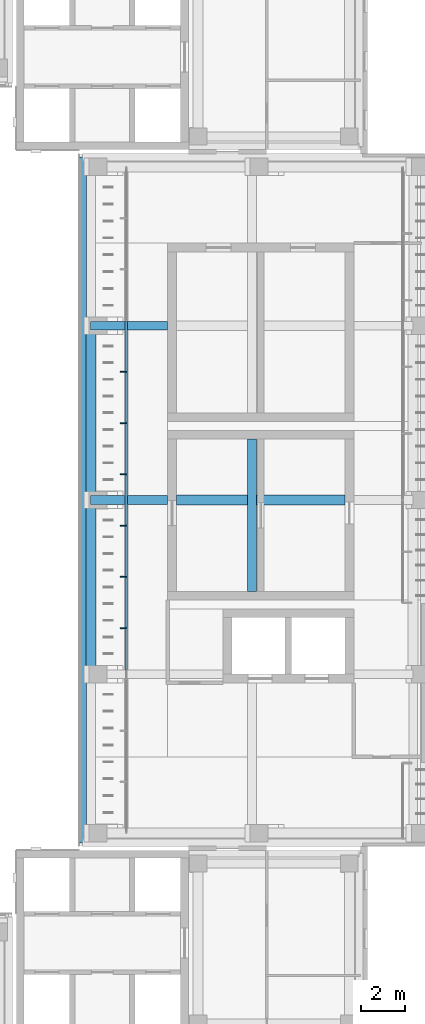
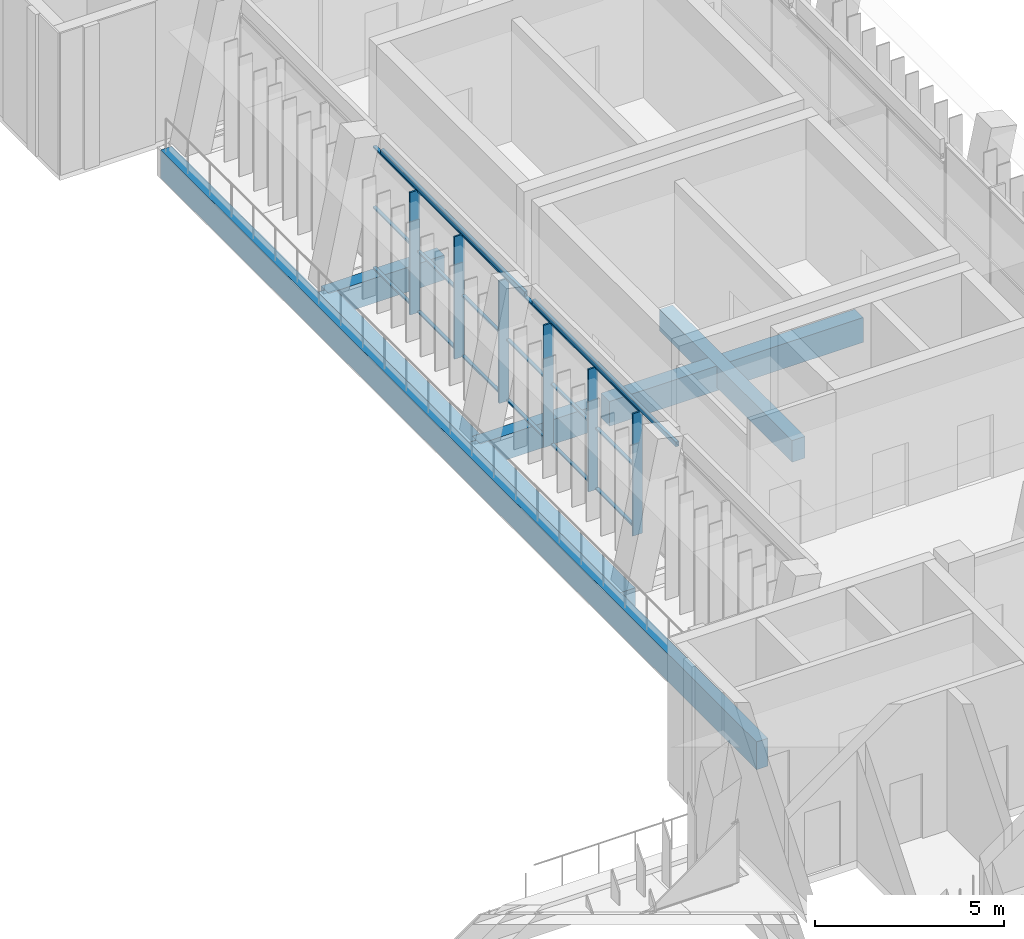
# One storey, part 39 of 89: 24 members, 9 beams, 1 element without a shape of its own.
"""IFC4 building model written with IfcOpenShell, lengths in metres."""

import ifcopenshell
import ifcopenshell.guid

model = None  # the IFC model being written
_history = None  # IfcOwnerHistory: only IFC2X3 demands one
_inside = {}  # id of a spatial element -> (the spatial element, [elements in it])
_under = {}  # id of a project, library or spatial element -> (it, [spatial elements below it])
_declared = {}  # id of a project -> (the project, [libraries it declares])
_typed = {}  # id of a type object -> (the type object, [elements of that type])
_made_of = {}  # id of a material, layer set ... -> (it, [elements and type objects made of it])


def new_model(schema):
    """Start an empty IFC model of exactly this schema.

    Asked for "IFC4X3", IfcOpenShell would pick the latest addendum, in which some entities
    have other attributes; the version numbers below select the first issue.
    IFC2X3 requires an IfcOwnerHistory on every rooted entity: one is made here for all.
    """
    global model, _history
    if schema == "IFC4X3":
        model = ifcopenshell.file(schema_version=(4, 3, 0, 0))
    else:
        model = ifcopenshell.file(schema=schema)
    _inside.clear()
    _under.clear()
    _declared.clear()
    _typed.clear()
    _made_of.clear()
    _history = None
    if model.schema == "IFC2X3":
        org = make("IfcOrganization", Name="unknown")
        user = make(
            "IfcPersonAndOrganization",
            ThePerson=make("IfcPerson", FamilyName="unknown"),
            TheOrganization=org,
        )
        app = make(
            "IfcApplication",
            ApplicationDeveloper=org,
            Version="unknown",
            ApplicationFullName="unknown",
            ApplicationIdentifier="unknown",
        )
        _history = make(
            "IfcOwnerHistory",
            OwningUser=user,
            OwningApplication=app,
            ChangeAction="ADDED",
            CreationDate=0,
        )
    return model


def make(cls, **values):
    """One entity of the class cls with the attributes given. An attribute that is None is left unset."""
    return model.create_entity(
        cls, **{name: value for name, value in values.items() if value is not None}
    )


def rooted(cls, **values):
    """An entity with a GlobalId (a new one), such as an element, a storey or a relation."""
    return make(cls, GlobalId=ifcopenshell.guid.new(), OwnerHistory=_history, **values)


def si_unit(unit_type, name, prefix=None):
    """IfcSIUnit, for example si_unit("LENGTHUNIT", "METRE", prefix="MILLI")."""
    return make("IfcSIUnit", UnitType=unit_type, Prefix=prefix, Name=name)


def assignment(units):
    """IfcUnitAssignment: the units of a project."""
    return None if units is None else make("IfcUnitAssignment", Units=units)


def point(xyz):
    """IfcCartesianPoint."""
    return None if xyz is None else make("IfcCartesianPoint", Coordinates=xyz)


def direction(xyz):
    """IfcDirection."""
    return None if xyz is None else make("IfcDirection", DirectionRatios=xyz)


def frame(location, z_axis=None, x_axis=None):
    """IfcAxis2Placement3D, a coordinate frame: its origin and axes. An axis left out is left unset."""
    return make(
        "IfcAxis2Placement3D",
        Location=point(location),
        Axis=direction(z_axis),
        RefDirection=direction(x_axis),
    )


def frame_2d(location, x_axis=None):
    """IfcAxis2Placement2D, a coordinate frame in the plane: its origin and x axis."""
    return make(
        "IfcAxis2Placement2D", Location=point(location), RefDirection=direction(x_axis)
    )


def origin():
    """The frame at (0, 0, 0) with its axes left unset."""
    return frame((0.0, 0.0, 0.0))


def origin_2d():
    """The frame at (0, 0) in the plane with its x axis left unset."""
    return frame_2d((0.0, 0.0))


def place(relative_to, where):
    """IfcLocalPlacement: puts the frame where relative to a parent placement (None: the world)."""
    return make(
        "IfcLocalPlacement", PlacementRelTo=relative_to, RelativePlacement=where
    )


def context(
    kind, dimensions, precision=None, world=None, true_north=None, identifier=None
):
    """IfcGeometricRepresentationContext, for example the 3D "Model" context."""
    return make(
        "IfcGeometricRepresentationContext",
        ContextIdentifier=identifier,
        ContextType=kind,
        CoordinateSpaceDimension=dimensions,
        Precision=precision,
        WorldCoordinateSystem=world,
        TrueNorth=true_north,
    )


def subcontext(parent, identifier, kind, view, scale=None):
    """IfcGeometricRepresentationSubContext, for example "Body" below "Model"."""
    return make(
        "IfcGeometricRepresentationSubContext",
        ContextIdentifier=identifier,
        ContextType=kind,
        ParentContext=parent,
        TargetScale=scale,
        TargetView=view,
    )


def project(units=None, contexts=None):
    """IfcProject with its units and contexts."""
    return rooted(
        "IfcProject",
        Name="project",
        RepresentationContexts=contexts,
        UnitsInContext=assignment(units),
    )


def spatial(cls, under=None, at=None, **own):
    """A site, building, storey or space (cls), placed at a placement, below another one or the project."""
    s = rooted(cls, ObjectPlacement=at, **own)
    if under is not None:
        _under.setdefault(under.id(), (under, []))[1].append(s)
    return s


def profile(cls, at=None, kind="AREA", **sizes):
    """A parametric profile (cls). Its sizes go by their IFC names, for example OverallWidth=200.0."""
    return make(cls, ProfileType=kind, Position=at, **sizes)


def rectangle(**sizes):
    """IfcRectangleProfileDef."""
    return profile("IfcRectangleProfileDef", **sizes)


def hollow_rectangle(**sizes):
    """IfcRectangleHollowProfileDef."""
    return profile("IfcRectangleHollowProfileDef", **sizes)


def extrude(swept, where, along, depth):
    """IfcExtrudedAreaSolid: the profile swept, set in the frame where, extruded along a direction by depth."""
    return make(
        "IfcExtrudedAreaSolid",
        SweptArea=swept,
        Position=where,
        ExtrudedDirection=direction(along),
        Depth=depth,
    )


def shape(context_of_items, identifier, shape_type, items):
    """IfcShapeRepresentation: the items that make up one representation, for example the "Body"."""
    return make(
        "IfcShapeRepresentation",
        ContextOfItems=context_of_items,
        RepresentationIdentifier=identifier,
        RepresentationType=shape_type,
        Items=items,
    )


def material(Name=None, Category=None):
    """IfcMaterial."""
    return make("IfcMaterial", Name=Name, Category=Category)


def material_profile(
    of_material, cross_section, Name=None, Category=None, Priority=None
):
    """IfcMaterialProfile: a cross section and its material."""
    return make(
        "IfcMaterialProfile",
        Name=Name,
        Material=of_material,
        Profile=cross_section,
        Priority=Priority,
        Category=Category,
    )


def profile_set(profiles, Name=None, composite=None):
    """IfcMaterialProfileSet."""
    return make(
        "IfcMaterialProfileSet",
        Name=Name,
        MaterialProfiles=profiles,
        CompositeProfile=composite,
    )


def made_of(thing, what):
    """Note that an element or type object is made of a material, layer set ...; save() writes the relation."""
    if what is not None:
        _made_of.setdefault(what.id(), (what, []))[1].append(thing)
    return thing


def type_object(cls, material=None, **own):
    """A type object (cls), such as IfcWallType, which elements share."""
    return made_of(rooted(cls, **own), material)


def element(
    cls,
    number,
    at=None,
    inside=None,
    cuts=None,
    type_object=None,
    material=None,
    context=None,
    identifier="Body",
    shape_type=None,
    held_by="IfcProductDefinitionShape",
    body=None,
    shapes=None,
    **own,
):
    """One element of the class cls, such as IfcWall. Its Tag is "e" and its number.

    at: its placement. inside: the storey or other place that contains it. cuts: it is an
    opening in that element (IfcRelVoidsElement). A single representation is given by context,
    identifier, shape_type and body (its items); several are given by shapes. held_by: the class
    of the entity that holds the representations. save() writes the other relations.
    """
    e = rooted(cls, Tag="e%d" % number, ObjectPlacement=at, **own)
    if body is not None:
        shapes = [shape(context, identifier, shape_type, body)]
    if shapes is not None:
        e.Representation = make(held_by, Representations=shapes)
    if inside is not None:
        _inside.setdefault(inside.id(), (inside, []))[1].append(e)
    if cuts is not None:
        rooted(
            "IfcRelVoidsElement", RelatingBuildingElement=cuts, RelatedOpeningElement=e
        )
    if type_object is not None:
        _typed.setdefault(type_object.id(), (type_object, []))[1].append(e)
    return made_of(e, material)


def aggregate(whole, parts):
    """IfcRelAggregates: a whole, such as a stair, and the parts it consists of."""
    return rooted("IfcRelAggregates", RelatingObject=whole, RelatedObjects=parts)


def save(model, path):
    """Write the relations noted so far, then the file.

    IfcRelAggregates (storeys below a building ...), IfcRelContainedInSpatialStructure (elements
    in a storey), IfcRelDefinesByType, IfcRelAssociatesMaterial and IfcRelDeclares: one each for
    every whole, place, type object, material and project.
    """
    for whole, parts in _under.values():
        aggregate(whole, parts)
    for where, things in _inside.values():
        rooted(
            "IfcRelContainedInSpatialStructure",
            RelatedElements=things,
            RelatingStructure=where,
        )
    for kind, things in _typed.values():
        rooted("IfcRelDefinesByType", RelatedObjects=things, RelatingType=kind)
    for what, things in _made_of.values():
        rooted("IfcRelAssociatesMaterial", RelatedObjects=things, RelatingMaterial=what)
    for by, libraries in _declared.values():
        rooted("IfcRelDeclares", RelatingContext=by, RelatedDefinitions=libraries)
    model.write(path)


model = new_model("IFC4")

# Units and contexts
model_context = context("Model", 3, precision=1e-05, world=origin(), true_north=direction((0.0, 1.0)))
body_context = subcontext(model_context, "Body", "Model", "MODEL_VIEW")
ifc_project = project(units=[si_unit("LENGTHUNIT", "METRE"), si_unit("AREAUNIT", "SQUARE_METRE"), si_unit("VOLUMEUNIT", "CUBIC_METRE"), si_unit("PLANEANGLEUNIT", "RADIAN"), si_unit("MASSUNIT", "GRAM", prefix="KILO")], contexts=[model_context])

# Site, building, storey
site_placement = place(None, origin())
site = spatial("IfcSite", under=ifc_project, at=site_placement, CompositionType="ELEMENT")
building_placement = place(site_placement, origin())
building = spatial("IfcBuilding", under=site, at=building_placement, Name="Lantern Court Media Centre", CompositionType="ELEMENT")
storey_placement = place(building_placement, frame((0.0, 0.0, 14.39990234375)))
storey = spatial("IfcBuildingStorey", under=building, at=storey_placement, Name="L03", CompositionType="ELEMENT", Elevation=14.39990234375)

# Curtain wall, members
ifc_material_1 = material(Name="Curtain wall bay 2400")
curtain_wall_type = type_object("IfcCurtainWallType", Name="Curtain wall bay 2400", PredefinedType="NOTDEFINED", material=ifc_material_1)
curtain_wall_placement = place(storey_placement, origin())
curtain_wall = element("IfcCurtainWall", 1, at=curtain_wall_placement, inside=storey, type_object=curtain_wall_type, Name="Curtain wall E inner L03", PredefinedType="NOTDEFINED")
ifc_material_2 = material(Name="Anodised aluminium", Category="aluminium")
ifc_material_profile_1 = material_profile(ifc_material_2, rectangle(XDim=0.300048828125, YDim=0.050048828125, at=origin_2d()), Name="AL 50x300")
ifc_profile_set_1 = profile_set([ifc_material_profile_1], Name="Anodised aluminium")
member_type_1 = type_object("IfcMemberType", Name="Curtain wall mullion 50x300", PredefinedType="MULLION", material=ifc_profile_set_1)
member_1_placement = place(storey_placement, frame((85.030029296875, 74.115478515625, 0.0), z_axis=(0.0, 0.0, 1.0), x_axis=(-1.0, 0.0, 0.0)))
member_1 = element("IfcMember", 2, at=member_1_placement, type_object=member_type_1, Name="CW2 mullion 5", PredefinedType="MULLION", context=body_context, shape_type="SweptSolid", body=[
    extrude(rectangle(XDim=0.300048828125, YDim=0.050048828125, at=origin_2d()), origin(), (0.0, 0.0, 1.0), 3.9501953125),
])
member_2_placement = place(storey_placement, frame((85.030029296875, 76.46923828125, 0.0), z_axis=(0.0, 0.0, 1.0), x_axis=(-1.0, 0.0, 0.0)))
member_2 = element("IfcMember", 3, at=member_2_placement, type_object=member_type_1, Name="CW2 mullion 6", PredefinedType="MULLION", context=body_context, shape_type="SweptSolid", body=[
    extrude(rectangle(XDim=0.300048828125, YDim=0.050048828125, at=origin_2d()), origin(), (0.0, 0.0, 1.0), 3.9501953125),
])
member_3_placement = place(storey_placement, frame((85.030029296875, 78.822998046875, 0.0), z_axis=(0.0, 0.0, 1.0), x_axis=(-1.0, 0.0, 0.0)))
member_3 = element("IfcMember", 4, at=member_3_placement, type_object=member_type_1, Name="CW2 mullion 7", PredefinedType="MULLION", context=body_context, shape_type="SweptSolid", body=[
    extrude(rectangle(XDim=0.300048828125, YDim=0.050048828125, at=origin_2d()), origin(), (0.0, 0.0, 1.0), 3.9501953125),
])
member_4_placement = place(storey_placement, frame((85.030029296875, 81.177001953125, 0.0), z_axis=(0.0, 0.0, 1.0), x_axis=(-1.0, 0.0, 0.0)))
member_4 = element("IfcMember", 5, at=member_4_placement, type_object=member_type_1, Name="CW2 mullion 8", PredefinedType="MULLION", context=body_context, shape_type="SweptSolid", body=[
    extrude(rectangle(XDim=0.300048828125, YDim=0.050048828125, at=origin_2d()), origin(), (0.0, 0.0, 1.0), 3.9501953125),
])
member_5_placement = place(storey_placement, frame((85.030029296875, 83.53076171875, 0.0), z_axis=(0.0, 0.0, 1.0), x_axis=(-1.0, 0.0, 0.0)))
member_5 = element("IfcMember", 6, at=member_5_placement, type_object=member_type_1, Name="CW2 mullion 9", PredefinedType="MULLION", context=body_context, shape_type="SweptSolid", body=[
    extrude(rectangle(XDim=0.300048828125, YDim=0.050048828125, at=origin_2d()), origin(), (0.0, 0.0, 1.0), 3.9501953125),
])
member_6_placement = place(storey_placement, frame((85.030029296875, 85.884521484375, 0.0), z_axis=(0.0, 0.0, 1.0), x_axis=(-1.0, 0.0, 0.0)))
member_6 = element("IfcMember", 7, at=member_6_placement, type_object=member_type_1, Name="CW2 mullion 10", PredefinedType="MULLION", context=body_context, shape_type="SweptSolid", body=[
    extrude(rectangle(XDim=0.300048828125, YDim=0.050048828125, at=origin_2d()), origin(), (0.0, 0.0, 1.0), 3.9501953125),
])
ifc_material_profile_2 = material_profile(ifc_material_2, rectangle(XDim=0.10009765625, YDim=0.050048828125, at=origin_2d()), Name="AL 50x100")
ifc_profile_set_2 = profile_set([ifc_material_profile_2], Name="Anodised aluminium")
member_type_2 = type_object("IfcMemberType", Name="Curtain wall transom 100x50", PredefinedType="USERDEFINED", material=ifc_profile_set_2)
member_7_placement = place(storey_placement, frame((85.14990234375, 74.140380859375, 0.025146484375), z_axis=(0.0, 1.0, 0.0), x_axis=(-1.0, 0.0, 0.0)))
member_7 = element("IfcMember", 8, at=member_7_placement, type_object=member_type_2, Name="CW2 transom 5.1", ObjectType="TRANSOM", PredefinedType="USERDEFINED", context=body_context, shape_type="SweptSolid", body=[
    extrude(rectangle(XDim=0.10009765625, YDim=0.050048828125, at=origin_2d()), origin(), (0.0, 0.0, 1.0), 2.303955078125),
])
member_8_placement = place(storey_placement, frame((85.14990234375, 74.140380859375, 1.97509765625), z_axis=(0.0, 1.0, 0.0), x_axis=(-1.0, 0.0, 0.0)))
member_8 = element("IfcMember", 9, at=member_8_placement, type_object=member_type_2, Name="CW2 transom 5.2", ObjectType="TRANSOM", PredefinedType="USERDEFINED", context=body_context, shape_type="SweptSolid", body=[
    extrude(rectangle(XDim=0.10009765625, YDim=0.050048828125, at=origin_2d()), origin(), (0.0, 0.0, 1.0), 2.303955078125),
])
member_9_placement = place(storey_placement, frame((85.14990234375, 74.140380859375, 3.925048828125), z_axis=(0.0, 1.0, 0.0), x_axis=(-1.0, 0.0, 0.0)))
member_9 = element("IfcMember", 10, at=member_9_placement, type_object=member_type_2, Name="CW2 transom 5.3", ObjectType="TRANSOM", PredefinedType="USERDEFINED", context=body_context, shape_type="SweptSolid", body=[
    extrude(rectangle(XDim=0.10009765625, YDim=0.050048828125, at=origin_2d()), origin(), (0.0, 0.0, 1.0), 2.303955078125),
])
member_10_placement = place(storey_placement, frame((85.14990234375, 76.494140625, 0.025146484375), z_axis=(0.0, 1.0, 0.0), x_axis=(-1.0, 0.0, 0.0)))
member_10 = element("IfcMember", 11, at=member_10_placement, type_object=member_type_2, Name="CW2 transom 6.1", ObjectType="TRANSOM", PredefinedType="USERDEFINED", context=body_context, shape_type="SweptSolid", body=[
    extrude(rectangle(XDim=0.10009765625, YDim=0.050048828125, at=origin_2d()), origin(), (0.0, 0.0, 1.0), 2.303955078125),
])
member_11_placement = place(storey_placement, frame((85.14990234375, 76.494140625, 1.97509765625), z_axis=(0.0, 1.0, 0.0), x_axis=(-1.0, 0.0, 0.0)))
member_11 = element("IfcMember", 12, at=member_11_placement, type_object=member_type_2, Name="CW2 transom 6.2", ObjectType="TRANSOM", PredefinedType="USERDEFINED", context=body_context, shape_type="SweptSolid", body=[
    extrude(rectangle(XDim=0.10009765625, YDim=0.050048828125, at=origin_2d()), origin(), (0.0, 0.0, 1.0), 2.303955078125),
])
member_12_placement = place(storey_placement, frame((85.14990234375, 76.494140625, 3.925048828125), z_axis=(0.0, 1.0, 0.0), x_axis=(-1.0, 0.0, 0.0)))
member_12 = element("IfcMember", 13, at=member_12_placement, type_object=member_type_2, Name="CW2 transom 6.3", ObjectType="TRANSOM", PredefinedType="USERDEFINED", context=body_context, shape_type="SweptSolid", body=[
    extrude(rectangle(XDim=0.10009765625, YDim=0.050048828125, at=origin_2d()), origin(), (0.0, 0.0, 1.0), 2.303955078125),
])
member_13_placement = place(storey_placement, frame((85.14990234375, 78.84814453125, 0.025146484375), z_axis=(0.0, 1.0, 0.0), x_axis=(-1.0, 0.0, 0.0)))
member_13 = element("IfcMember", 14, at=member_13_placement, type_object=member_type_2, Name="CW2 transom 7.1", ObjectType="TRANSOM", PredefinedType="USERDEFINED", context=body_context, shape_type="SweptSolid", body=[
    extrude(rectangle(XDim=0.10009765625, YDim=0.050048828125, at=origin_2d()), origin(), (0.0, 0.0, 1.0), 2.3037109375),
])
member_14_placement = place(storey_placement, frame((85.14990234375, 78.84814453125, 1.97509765625), z_axis=(0.0, 1.0, 0.0), x_axis=(-1.0, 0.0, 0.0)))
member_14 = element("IfcMember", 15, at=member_14_placement, type_object=member_type_2, Name="CW2 transom 7.2", ObjectType="TRANSOM", PredefinedType="USERDEFINED", context=body_context, shape_type="SweptSolid", body=[
    extrude(rectangle(XDim=0.10009765625, YDim=0.050048828125, at=origin_2d()), origin(), (0.0, 0.0, 1.0), 2.3037109375),
])
member_15_placement = place(storey_placement, frame((85.14990234375, 78.84814453125, 3.925048828125), z_axis=(0.0, 1.0, 0.0), x_axis=(-1.0, 0.0, 0.0)))
member_15 = element("IfcMember", 16, at=member_15_placement, type_object=member_type_2, Name="CW2 transom 7.3", ObjectType="TRANSOM", PredefinedType="USERDEFINED", context=body_context, shape_type="SweptSolid", body=[
    extrude(rectangle(XDim=0.10009765625, YDim=0.050048828125, at=origin_2d()), origin(), (0.0, 0.0, 1.0), 2.3037109375),
])
member_16_placement = place(storey_placement, frame((85.14990234375, 81.201904296875, 0.025146484375), z_axis=(0.0, 1.0, 0.0), x_axis=(-1.0, 0.0, 0.0)))
member_16 = element("IfcMember", 17, at=member_16_placement, type_object=member_type_2, Name="CW2 transom 8.1", ObjectType="TRANSOM", PredefinedType="USERDEFINED", context=body_context, shape_type="SweptSolid", body=[
    extrude(rectangle(XDim=0.10009765625, YDim=0.050048828125, at=origin_2d()), origin(), (0.0, 0.0, 1.0), 2.303955078125),
])
member_17_placement = place(storey_placement, frame((85.14990234375, 81.201904296875, 1.97509765625), z_axis=(0.0, 1.0, 0.0), x_axis=(-1.0, 0.0, 0.0)))
member_17 = element("IfcMember", 18, at=member_17_placement, type_object=member_type_2, Name="CW2 transom 8.2", ObjectType="TRANSOM", PredefinedType="USERDEFINED", context=body_context, shape_type="SweptSolid", body=[
    extrude(rectangle(XDim=0.10009765625, YDim=0.050048828125, at=origin_2d()), origin(), (0.0, 0.0, 1.0), 2.303955078125),
])
member_18_placement = place(storey_placement, frame((85.14990234375, 81.201904296875, 3.925048828125), z_axis=(0.0, 1.0, 0.0), x_axis=(-1.0, 0.0, 0.0)))
member_18 = element("IfcMember", 19, at=member_18_placement, type_object=member_type_2, Name="CW2 transom 8.3", ObjectType="TRANSOM", PredefinedType="USERDEFINED", context=body_context, shape_type="SweptSolid", body=[
    extrude(rectangle(XDim=0.10009765625, YDim=0.050048828125, at=origin_2d()), origin(), (0.0, 0.0, 1.0), 2.303955078125),
])
member_19_placement = place(storey_placement, frame((85.14990234375, 83.5556640625, 0.025146484375), z_axis=(0.0, 1.0, 0.0), x_axis=(-1.0, 0.0, 0.0)))
member_19 = element("IfcMember", 20, at=member_19_placement, type_object=member_type_2, Name="CW2 transom 9.1", ObjectType="TRANSOM", PredefinedType="USERDEFINED", context=body_context, shape_type="SweptSolid", body=[
    extrude(rectangle(XDim=0.10009765625, YDim=0.050048828125, at=origin_2d()), origin(), (0.0, 0.0, 1.0), 2.303955078125),
])
member_20_placement = place(storey_placement, frame((85.14990234375, 83.5556640625, 1.97509765625), z_axis=(0.0, 1.0, 0.0), x_axis=(-1.0, 0.0, 0.0)))
member_20 = element("IfcMember", 21, at=member_20_placement, type_object=member_type_2, Name="CW2 transom 9.2", ObjectType="TRANSOM", PredefinedType="USERDEFINED", context=body_context, shape_type="SweptSolid", body=[
    extrude(rectangle(XDim=0.10009765625, YDim=0.050048828125, at=origin_2d()), origin(), (0.0, 0.0, 1.0), 2.303955078125),
])
member_21_placement = place(storey_placement, frame((85.14990234375, 83.5556640625, 3.925048828125), z_axis=(0.0, 1.0, 0.0), x_axis=(-1.0, 0.0, 0.0)))
member_21 = element("IfcMember", 22, at=member_21_placement, type_object=member_type_2, Name="CW2 transom 9.3", ObjectType="TRANSOM", PredefinedType="USERDEFINED", context=body_context, shape_type="SweptSolid", body=[
    extrude(rectangle(XDim=0.10009765625, YDim=0.050048828125, at=origin_2d()), origin(), (0.0, 0.0, 1.0), 2.303955078125),
])
member_22_placement = place(storey_placement, frame((85.14990234375, 85.90966796875, 0.025146484375), z_axis=(0.0, 1.0, 0.0), x_axis=(-1.0, 0.0, 0.0)))
member_22 = element("IfcMember", 23, at=member_22_placement, type_object=member_type_2, Name="CW2 transom 10.1", ObjectType="TRANSOM", PredefinedType="USERDEFINED", context=body_context, shape_type="SweptSolid", body=[
    extrude(rectangle(XDim=0.10009765625, YDim=0.050048828125, at=origin_2d()), origin(), (0.0, 0.0, 1.0), 2.3037109375),
])
member_23_placement = place(storey_placement, frame((85.14990234375, 85.90966796875, 1.97509765625), z_axis=(0.0, 1.0, 0.0), x_axis=(-1.0, 0.0, 0.0)))
member_23 = element("IfcMember", 24, at=member_23_placement, type_object=member_type_2, Name="CW2 transom 10.2", ObjectType="TRANSOM", PredefinedType="USERDEFINED", context=body_context, shape_type="SweptSolid", body=[
    extrude(rectangle(XDim=0.10009765625, YDim=0.050048828125, at=origin_2d()), origin(), (0.0, 0.0, 1.0), 2.3037109375),
])
member_24_placement = place(storey_placement, frame((85.14990234375, 85.90966796875, 3.925048828125), z_axis=(0.0, 1.0, 0.0), x_axis=(-1.0, 0.0, 0.0)))
member_24 = element("IfcMember", 25, at=member_24_placement, type_object=member_type_2, Name="CW2 transom 10.3", ObjectType="TRANSOM", PredefinedType="USERDEFINED", context=body_context, shape_type="SweptSolid", body=[
    extrude(rectangle(XDim=0.10009765625, YDim=0.050048828125, at=origin_2d()), origin(), (0.0, 0.0, 1.0), 2.3037109375),
])
aggregate(curtain_wall, [member_1, member_2, member_3, member_4, member_5, member_6, member_7, member_8, member_9, member_10, member_11, member_12, member_13, member_14, member_15, member_16, member_17, member_18, member_19, member_20, member_21, member_22, member_23, member_24])

# Beams
ifc_material_3 = material(Name="Steel S355J2 (EN 10025-2)", Category="steel")
ifc_material_profile_3 = material_profile(ifc_material_3, hollow_rectangle(XDim=0.10009765625, YDim=0.14990234375, WallThickness=0.00634765625, InnerFilletRadius=0.00634765625, OuterFilletRadius=0.009521484375, at=origin_2d()), Name="Facade head lintel RHS 150x100x6.3")
ifc_profile_set_3 = profile_set([ifc_material_profile_3], Name="Steel S355J2 (EN 10025-2)")
beam_type_1 = type_object("IfcBeamType", Name="Facade head lintel RHS 150x100x6.3", PredefinedType="BEAM", material=ifc_profile_set_3)
for number, where, z_axis, x_axis, name in (
    (26, (85.14990234375, 72.199951171875, 4.025146484375), (0.0, 1.0, 0.0), (-1.0, 0.0, 0.0), "Facade head lintel E L03"),
    (27, (85.14990234375, 80.199951171875, 4.025146484375), (0.0, 1.0, 0.0), (-1.0, 0.0, 0.0), "Facade head lintel E L03"),
):
    element("IfcBeam", number, at=place(storey_placement, frame(where, z_axis=z_axis, x_axis=x_axis)), inside=storey, type_object=beam_type_1, Name=name, PredefinedType="BEAM", context=body_context, shape_type="SweptSolid", body=[
        extrude(hollow_rectangle(XDim=0.10009765625, YDim=0.14990234375, WallThickness=0.00634765625, InnerFilletRadius=0.00634765625, OuterFilletRadius=0.009521484375, at=origin_2d()), origin(), (0.0, 0.0, 1.0), 7.60009765625),
    ])
ifc_material_4 = material(Name="Concrete C35", Category="concrete")
ifc_material_profile_4 = material_profile(ifc_material_4, rectangle(XDim=0.35009765625, YDim=0.89990234375, at=origin_2d()), Name="RC 350x900")
ifc_profile_set_4 = profile_set([ifc_material_profile_4], Name="Concrete C35")
beam_type_2 = type_object("IfcBeamType", Name="RC BEAM 350x900", PredefinedType="BEAM", material=ifc_profile_set_4)
beam_1_placement = place(storey_placement, frame((83.14990234375, 64.25, -0.449951171875), z_axis=(0.0, 1.0, 0.0), x_axis=(-1.0, 0.0, 0.0)))
element("IfcBeam", 28, at=beam_1_placement, inside=storey, type_object=beam_type_2, Name="EB-E-L03-A", PredefinedType="BEAM", context=body_context, shape_type="SweptSolid", body=[
    extrude(rectangle(XDim=0.35009765625, YDim=0.89990234375, at=origin_2d()), origin(), (0.0, 0.0, 1.0), 31.5),
])
ifc_material_profile_5 = material_profile(ifc_material_4, rectangle(XDim=0.39990234375, YDim=0.699951171875, at=origin_2d()), Name="RC 400x700")
ifc_profile_set_5 = profile_set([ifc_material_profile_5], Name="Concrete C35")
beam_type_3 = type_object("IfcBeamType", Name="RC BEAM 400x700", PredefinedType="BEAM", material=ifc_profile_set_5)
beam_2_placement = place(storey_placement, frame((90.927001953125, 75.800048828125, -0.349853515625), z_axis=(0.0, 1.0, 0.0), x_axis=(-1.0, 0.0, 0.0)))
element("IfcBeam", 29, at=beam_2_placement, inside=storey, type_object=beam_type_3, Name="LB-E-L03-1-01", PredefinedType="BEAM", context=body_context, shape_type="SweptSolid", body=[
    extrude(rectangle(XDim=0.39990234375, YDim=0.699951171875, at=origin_2d()), origin(), (0.0, 0.0, 1.0), 7.0),
])
ifc_material_profile_6 = material_profile(ifc_material_4, rectangle(XDim=0.39990234375, YDim=0.800048828125, at=origin_2d()), Name="RC 400x800")
ifc_profile_set_6 = profile_set([ifc_material_profile_6], Name="Concrete C35")
beam_type_4 = type_object("IfcBeamType", Name="RC BEAM 400x800", PredefinedType="BEAM", material=ifc_profile_set_6)
for number, where, z_axis, x_axis, name in (
    (30, (83.5166015625, 80.0, -0.39990234375), (1.0, 0.0, 0.0), (0.0, 1.0, 0.0), "TB-E-L03-2-1"),
    (31, (83.5166015625, 88.0, -0.39990234375), (1.0, 0.0, 0.0), (0.0, 1.0, 0.0), "TB-E-L03-3-1"),
):
    element("IfcBeam", number, at=place(storey_placement, frame(where, z_axis=z_axis, x_axis=x_axis)), inside=storey, type_object=beam_type_4, Name=name, PredefinedType="BEAM", context=body_context, shape_type="SweptSolid", body=[
        extrude(rectangle(XDim=0.39990234375, YDim=0.800048828125, at=origin_2d()), origin(), (0.0, 0.0, 1.0), 3.533447265625),
    ])
ifc_material_profile_7 = material_profile(ifc_material_4, rectangle(XDim=0.449951171875, YDim=0.699951171875, at=origin_2d()), Name="RC 450x700")
ifc_profile_set_7 = profile_set([ifc_material_profile_7], Name="Concrete C35")
beam_type_5 = type_object("IfcBeamType", Name="RC BEAM 450x700", PredefinedType="BEAM", material=ifc_profile_set_7)
for number, where, z_axis, x_axis, name in (
    (32, (83.527099609375, 72.0, -0.349853515625), (0.0, 1.0, 0.0), (-1.0, 0.0, 0.0), "LB-E-L03-0-1"),
    (33, (83.527099609375, 80.0, -0.349853515625), (0.0, 1.0, 0.0), (-1.0, 0.0, 0.0), "LB-E-L03-0-2"),
):
    element("IfcBeam", number, at=place(storey_placement, frame(where, z_axis=z_axis, x_axis=x_axis)), inside=storey, type_object=beam_type_5, Name=name, PredefinedType="BEAM", context=body_context, shape_type="SweptSolid", body=[
        extrude(rectangle(XDim=0.449951171875, YDim=0.699951171875, at=origin_2d()), origin(), (0.0, 0.0, 1.0), 8.0),
    ])
ifc_material_profile_8 = material_profile(ifc_material_4, rectangle(XDim=0.449951171875, YDim=0.800048828125, at=origin_2d()), Name="RC 450x800")
ifc_profile_set_8 = profile_set([ifc_material_profile_8], Name="Concrete C35")
beam_type_6 = type_object("IfcBeamType", Name="RC BEAM 450x800", PredefinedType="BEAM", material=ifc_profile_set_8)
beam_3_placement = place(storey_placement, frame((87.449951171875, 80.0, -0.39990234375), z_axis=(1.0, 0.0, 0.0), x_axis=(0.0, 1.0, 0.0)))
element("IfcBeam", 34, at=beam_3_placement, inside=storey, type_object=beam_type_6, Name="TB-E-L03-2-11", PredefinedType="BEAM", context=body_context, shape_type="SweptSolid", body=[
    extrude(rectangle(XDim=0.449951171875, YDim=0.800048828125, at=origin_2d()), origin(), (0.0, 0.0, 1.0), 7.75),
])

save(model, "model.ifc")
